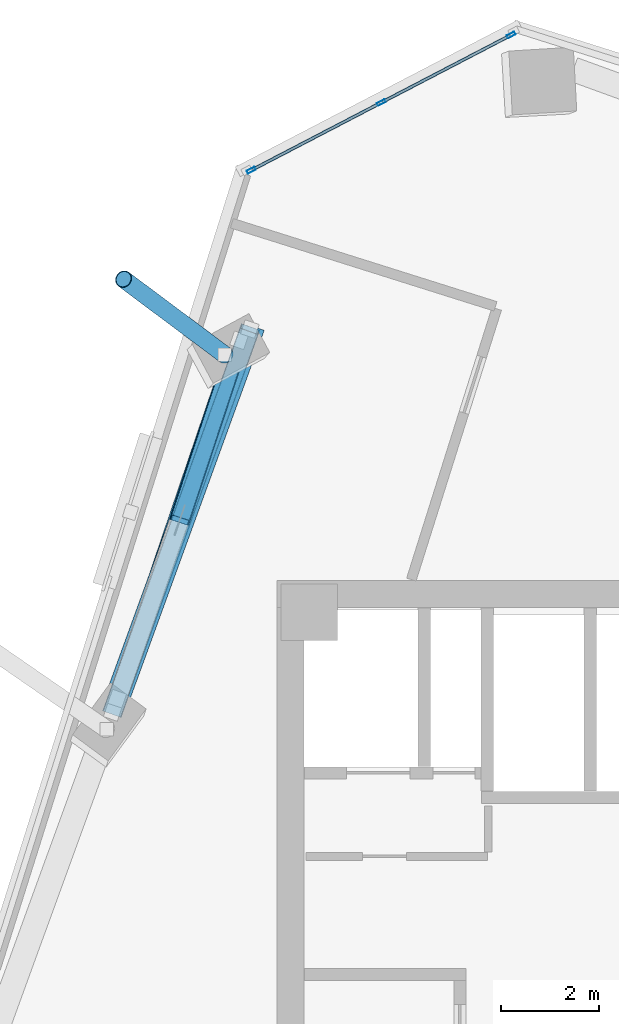
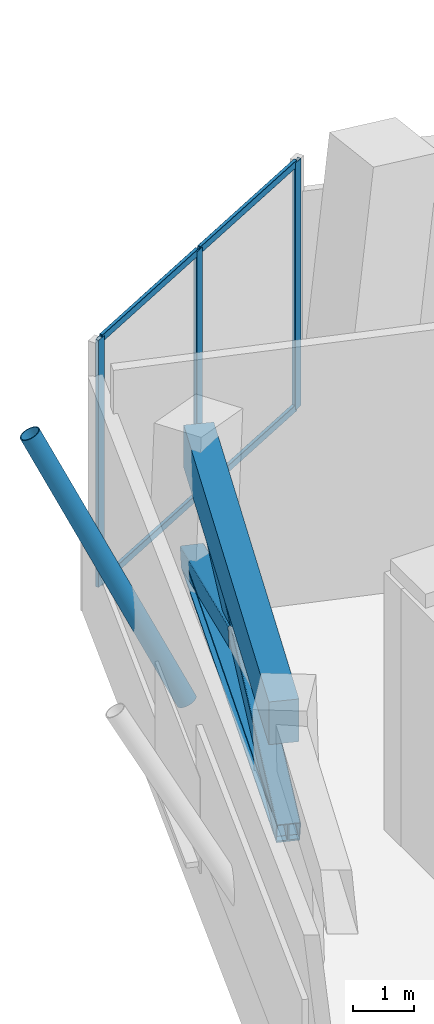
# One storey, part 14 of 29: 11 members, 1 beam, 1 element without a shape of its own.
"""IFC4 building model written with IfcOpenShell, lengths in metres."""

from ifc_helpers import new_model, si_unit, direction, frame, origin, origin_2d, place, context, subcontext, project, spatial, rectangle, hollow_rectangle, hollow_circle, i_section, extrude, source, transform, mapped, material, material_profile, profile_set, type_object, element, aggregate, save


model = new_model("IFC4")

# Units and contexts
model_context = context("Model", 3, precision=1e-05, world=origin(), true_north=direction((0.0, 1.0)))
body_context = subcontext(model_context, "Body", "Model", "MODEL_VIEW")
ifc_project = project(units=[si_unit("LENGTHUNIT", "METRE"), si_unit("AREAUNIT", "SQUARE_METRE"), si_unit("VOLUMEUNIT", "CUBIC_METRE"), si_unit("PLANEANGLEUNIT", "RADIAN"), si_unit("MASSUNIT", "GRAM", prefix="KILO")], contexts=[model_context])

# Site, building, storey
site_placement = place(None, origin())
site = spatial("IfcSite", under=ifc_project, at=site_placement, CompositionType="ELEMENT")
building_placement = place(site_placement, origin())
building = spatial("IfcBuilding", under=site, at=building_placement, Name="Torre Montelarca", CompositionType="ELEMENT")
storey_placement = place(building_placement, frame((0.0, 0.0, 122.199951171875)))
storey = spatial("IfcBuildingStorey", under=building, at=storey_placement, Name="L27", CompositionType="ELEMENT", Elevation=122.199951171875)

# Member
ifc_material_1 = material(Name="Steel ASTM A500 Grade C", Category="steel")
ifc_material_profile_1 = material_profile(ifc_material_1, hollow_circle(Radius=0.177734375, WallThickness=0.015869140625, at=origin_2d()), Name="HSS355.6X15.9", Category="steel")
ifc_profile_set_1 = profile_set([ifc_material_profile_1], Name="Steel ASTM A500 Grade C")
member_type_1 = type_object("IfcMemberType", Name="MB-BR-CHS356-EXT", PredefinedType="BRACE", material=ifc_profile_set_1)
shared_shape_1 = source(origin(), body_context, "Body", "SweptSolid", [
    extrude(hollow_circle(Radius=0.177734375, WallThickness=0.015869140625, at=origin_2d()), origin(), (0.0, 0.0, 1.0), 5.72265625),
])
member_1_placement = place(storey_placement, frame((7.83544921875, 44.696533203125, 0.150146484375), z_axis=(-0.360708995353, 0.269411863472, 0.892920079566), x_axis=(-0.598406850808, -0.801192386949, 0.0)))
element("IfcMember", 1, at=member_1_placement, inside=storey, type_object=member_type_1, Name="L28 Sliding Tray Exterior Diagonal Raker Strut W3", PredefinedType="BRACE", context=body_context, shape_type="MappedRepresentation", body=[
    mapped(shared_shape_1, transform((0.0, 0.0, 0.0), scale=1.0)),
])

# Beam
ifc_material_2 = material(Name="Concrete C55/67", Category="concrete")
ifc_material_profile_2 = material_profile(ifc_material_2, rectangle(XDim=0.5, YDim=0.85009765625, at=origin_2d()), Name="RCB500X850", Category="concrete")
ifc_profile_set_2 = profile_set([ifc_material_profile_2], Name="Concrete C55/67")
beam_type = type_object("IfcBeamType", Name="BM-SP-RC850-EXT", PredefinedType="SPANDREL", material=ifc_profile_set_2)
shared_shape_2 = source(origin(), body_context, "Body", "SweptSolid", [
    extrude(rectangle(XDim=0.5, YDim=0.85009765625, at=origin_2d()), origin(), (0.0, 0.0, 1.0), 8.0),
])
beam_placement = place(storey_placement, frame((5.666259765625, 37.762939453125, 4.695068359375), z_axis=(0.342010133499, 0.939696264005, 0.0), x_axis=(-0.939696264005, 0.342010133499, 0.0)))
element("IfcBeam", 2, at=beam_placement, inside=storey, type_object=beam_type, Name="L27 Grid Girder Y 32.0-40.0 at X=4.7", PredefinedType="SPANDREL", context=body_context, shape_type="MappedRepresentation", body=[
    mapped(shared_shape_2, transform((0.0, 0.0, 0.0), scale=1.0)),
])

# Members
ifc_material_3 = material(Name="Steel ASTM A992 Grade 50", Category="steel")
ifc_material_profile_3 = material_profile(ifc_material_3, i_section(OverallWidth=0.39501953125, OverallDepth=0.3798828125, WebThickness=0.018798828125, FlangeThickness=0.0302734375, FilletRadius=0.014892578125, at=origin_2d()), Name="W360X237", Category="steel")
ifc_profile_set_3 = profile_set([ifc_material_profile_3], Name="Steel ASTM A992 Grade 50")
member_type_2 = type_object("IfcMemberType", Name="MB-CH-W360X237", PredefinedType="CHORD", material=ifc_profile_set_3)
shared_shape_3 = source(origin(), body_context, "Body", "SweptSolid", [
    extrude(i_section(OverallWidth=0.39501953125, OverallDepth=0.3798828125, WebThickness=0.018798828125, FlangeThickness=0.0302734375, FilletRadius=0.014892578125, at=origin_2d()), origin(), (0.0, 0.0, 1.0), 7.998046875),
])
member_2_placement = place(storey_placement, frame((5.55029296875, 37.42138671875, 2.75), z_axis=(0.321799301591, 0.946807905277, 0.0), x_axis=(-0.946807905277, 0.321799301591, 0.0)))
element("IfcMember", 3, at=member_2_placement, inside=storey, type_object=member_type_2, Name="L27 Perimeter Belt-Truss Bottom Chord 1", PredefinedType="CHORD", context=body_context, shape_type="MappedRepresentation", body=[
    mapped(shared_shape_3, transform((0.0, 0.0, 0.0), scale=1.0)),
])
ifc_material_profile_4 = material_profile(ifc_material_1, hollow_rectangle(XDim=0.406494140625, YDim=0.406494140625, WallThickness=0.015869140625, InnerFilletRadius=0.015869140625, OuterFilletRadius=0.03173828125, at=origin_2d()), Name="HSS406X406X15.9", Category="steel")
ifc_profile_set_4 = profile_set([ifc_material_profile_4], Name="Steel ASTM A500 Grade C")
member_type_3 = type_object("IfcMemberType", Name="MB-BR-HSS406-EXT", PredefinedType="BRACE", material=ifc_profile_set_4)
shared_shape_4 = source(origin(), body_context, "Body", "SweptSolid", [
    extrude(hollow_rectangle(XDim=0.406494140625, YDim=0.406494140625, WallThickness=0.015869140625, InnerFilletRadius=0.015869140625, OuterFilletRadius=0.03173828125, at=origin_2d()), origin(), (0.0, 0.0, 1.0), 8.547119140625),
])
member_3_placement = place(storey_placement, frame((5.55029296875, 37.42138671875, 2.75), z_axis=(0.326912328132, 0.912555269477, 0.24570553487), x_axis=(-0.941414795966, 0.337250918362, 0.0)))
element("IfcMember", 4, at=member_3_placement, inside=storey, type_object=member_type_3, Name="L27 Perimeter Belt-Truss Continuous X-Brace 1A", PredefinedType="BRACE", context=body_context, shape_type="MappedRepresentation", body=[
    mapped(shared_shape_4, transform((0.0, 0.0, 0.0), scale=1.0)),
])
shared_shape_5 = source(origin(), body_context, "Body", "SweptSolid", [
    extrude(hollow_rectangle(XDim=0.406494140625, YDim=0.406494140625, WallThickness=0.015869140625, InnerFilletRadius=0.015869140625, OuterFilletRadius=0.03173828125, at=origin_2d()), origin(), (0.0, 0.0, 1.0), 3.99658203125),
])
member_4_placement = place(storey_placement, frame((8.1240234375, 44.993896484375, 2.75), z_axis=(-0.302441178864, -0.916242222133, 0.26273470214), x_axis=(0.949603587672, -0.31345338773, 0.0)))
element("IfcMember", 5, at=member_4_placement, inside=storey, type_object=member_type_3, Name="L27 Perimeter Belt-Truss Split X-Brace Lower 1B1", PredefinedType="BRACE", context=body_context, shape_type="MappedRepresentation", body=[
    mapped(shared_shape_5, transform((0.0, 0.0, 0.0), scale=1.0)),
])

# Curtain wall, members
ifc_material_4 = material(Name="Insulated low-E laminated glass", Category="glass")
curtain_wall_type = type_object("IfcCurtainWallType", Name="CW-SYS-Z1", PredefinedType="USERDEFINED", material=ifc_material_4)
curtain_wall_placement = place(storey_placement, origin())
curtain_wall = element("IfcCurtainWall", 6, at=curtain_wall_placement, inside=storey, type_object=curtain_wall_type, Name="L27 Curtain Wall Run CW-T3-L27-E09-B1", ObjectType="UNITISED GLAZING", PredefinedType="USERDEFINED")
ifc_material_5 = material(Name="Anodised aluminium AA 6063-T6", Category="aluminium")
ifc_material_profile_5 = material_profile(ifc_material_5, hollow_rectangle(XDim=0.06494140625, YDim=0.139892578125, WallThickness=0.00390625, InnerFilletRadius=0.00390625, OuterFilletRadius=0.008056640625, at=origin_2d()), Name="ALU65X140X4", Category="aluminium")
ifc_profile_set_5 = profile_set([ifc_material_profile_5], Name="Anodised aluminium AA 6063-T6")
member_type_4 = type_object("IfcMemberType", Name="CWT-ALU140", PredefinedType="USERDEFINED", material=ifc_profile_set_5)
shared_shape_6 = source(origin(), body_context, "Body", "SweptSolid", [
    extrude(hollow_rectangle(XDim=0.06494140625, YDim=0.139892578125, WallThickness=0.00390625, InnerFilletRadius=0.00390625, OuterFilletRadius=0.008056640625, at=origin_2d()), origin(), (0.0, 0.0, 1.0), 2.918701171875),
])
member_5_placement = place(storey_placement, frame((13.6376953125, 51.197509765625, 0.032470703125), z_axis=(-0.887014019534, -0.461742492251, 0.0), x_axis=(0.461742492251, -0.887014019534, 0.0)))
member_5 = element("IfcMember", 7, at=member_5_placement, type_object=member_type_4, Name="CW transom 1.1", ObjectType="TRANSOM", PredefinedType="USERDEFINED", context=body_context, shape_type="MappedRepresentation", body=[
    mapped(shared_shape_6, transform((0.0, 0.0, 0.0), scale=1.0)),
])
member_6_placement = place(storey_placement, frame((13.6376953125, 51.197509765625, 4.887451171875), z_axis=(-0.887014019534, -0.461742492251, 0.0), x_axis=(0.461742492251, -0.887014019534, 0.0)))
member_6 = element("IfcMember", 8, at=member_6_placement, type_object=member_type_4, Name="CW transom 1.2", ObjectType="TRANSOM", PredefinedType="USERDEFINED", context=body_context, shape_type="MappedRepresentation", body=[
    mapped(shared_shape_6, transform((0.0, 0.0, 0.0), scale=1.0)),
])
shared_shape_7 = source(origin(), body_context, "Body", "SweptSolid", [
    extrude(hollow_rectangle(XDim=0.06494140625, YDim=0.139892578125, WallThickness=0.00390625, InnerFilletRadius=0.00390625, OuterFilletRadius=0.008056640625, at=origin_2d()), origin(), (0.0, 0.0, 1.0), 2.91845703125),
])
member_7_placement = place(storey_placement, frame((10.9912109375, 49.81982421875, 0.032470703125), z_axis=(-0.88704827871, -0.461676673916, 0.0), x_axis=(0.461676673916, -0.88704827871, 0.0)))
member_7 = element("IfcMember", 9, at=member_7_placement, type_object=member_type_4, Name="CW transom 2.1", ObjectType="TRANSOM", PredefinedType="USERDEFINED", context=body_context, shape_type="MappedRepresentation", body=[
    mapped(shared_shape_7, transform((0.0, 0.0, 0.0), scale=1.0)),
])
member_8_placement = place(storey_placement, frame((10.9912109375, 49.81982421875, 4.887451171875), z_axis=(-0.88704827871, -0.461676673916, 0.0), x_axis=(0.461676673916, -0.88704827871, 0.0)))
member_8 = element("IfcMember", 10, at=member_8_placement, type_object=member_type_4, Name="CW transom 2.2", ObjectType="TRANSOM", PredefinedType="USERDEFINED", context=body_context, shape_type="MappedRepresentation", body=[
    mapped(shared_shape_7, transform((0.0, 0.0, 0.0), scale=1.0)),
])
ifc_material_profile_6 = material_profile(ifc_material_5, hollow_rectangle(XDim=0.06494140625, YDim=0.179931640625, WallThickness=0.00390625, InnerFilletRadius=0.00390625, OuterFilletRadius=0.008056640625, at=origin_2d()), Name="ALU65X180X4", Category="aluminium")
ifc_profile_set_6 = profile_set([ifc_material_profile_6], Name="Anodised aluminium AA 6063-T6")
member_type_5 = type_object("IfcMemberType", Name="CWM-ALU180", PredefinedType="MULLION", material=ifc_profile_set_6)
shared_shape_8 = source(origin(), body_context, "Body", "SweptSolid", [
    extrude(hollow_rectangle(XDim=0.06494140625, YDim=0.179931640625, WallThickness=0.00390625, InnerFilletRadius=0.00390625, OuterFilletRadius=0.008056640625, at=origin_2d()), origin(), (0.0, 0.0, 1.0), 4.920166015625),
])
member_9_placement = place(storey_placement, frame((13.66650390625, 51.212646484375, 0.0), z_axis=(0.0, 0.0, 1.0), x_axis=(0.461729026109, -0.887021029316, 0.0)))
member_9 = element("IfcMember", 11, at=member_9_placement, type_object=member_type_5, Name="CW mullion 1", PredefinedType="MULLION", context=body_context, shape_type="MappedRepresentation", body=[
    mapped(shared_shape_8, transform((0.0, 0.0, 0.0), scale=1.0)),
])
member_10_placement = place(storey_placement, frame((11.02001953125, 49.8349609375, 0.0), z_axis=(0.0, 0.0, 1.0), x_axis=(0.461729026109, -0.887021029316, 0.0)))
member_10 = element("IfcMember", 12, at=member_10_placement, type_object=member_type_5, Name="CW mullion 2", PredefinedType="MULLION", context=body_context, shape_type="MappedRepresentation", body=[
    mapped(shared_shape_8, transform((0.0, 0.0, 0.0), scale=1.0)),
])
member_11_placement = place(storey_placement, frame((8.37353515625, 48.457275390625, 0.0), z_axis=(0.0, 0.0, 1.0), x_axis=(0.461729026109, -0.887021029316, 0.0)))
member_11 = element("IfcMember", 13, at=member_11_placement, type_object=member_type_5, Name="CW mullion 3", PredefinedType="MULLION", context=body_context, shape_type="MappedRepresentation", body=[
    mapped(shared_shape_8, transform((0.0, 0.0, 0.0), scale=1.0)),
])
aggregate(curtain_wall, [member_9, member_10, member_11, member_5, member_6, member_7, member_8])

save(model, "model.ifc")
